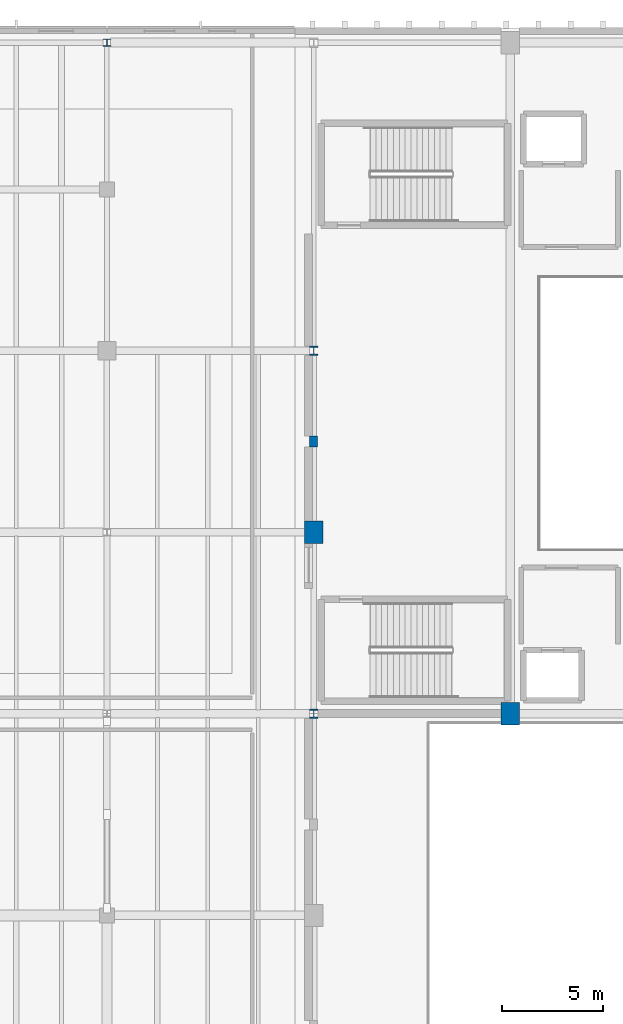
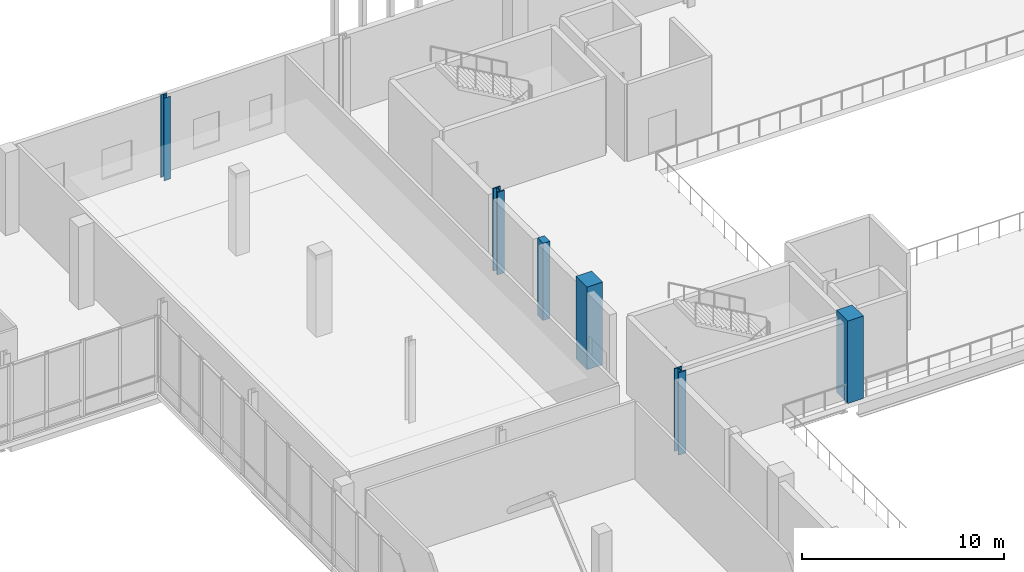
# One storey, part 10 of 81: 6 columns.
"""IFC4 building model written with IfcOpenShell, lengths in metres."""

from ifc_helpers import new_model, si_unit, direction, frame, origin, origin_2d, place, context, subcontext, project, spatial, rectangle, i_section, extrude, material, material_profile, profile_set, type_object, element, save


model = new_model("IFC4")

# Units and contexts
model_context = context("Model", 3, precision=1e-05, world=origin(), true_north=direction((0.0, 1.0)))
body_context = subcontext(model_context, "Body", "Model", "MODEL_VIEW")
ifc_project = project(units=[si_unit("LENGTHUNIT", "METRE"), si_unit("AREAUNIT", "SQUARE_METRE"), si_unit("VOLUMEUNIT", "CUBIC_METRE"), si_unit("PLANEANGLEUNIT", "RADIAN"), si_unit("MASSUNIT", "GRAM", prefix="KILO")], contexts=[model_context])

# Site, building, storey
site_placement = place(None, origin())
site = spatial("IfcSite", under=ifc_project, at=site_placement, CompositionType="ELEMENT")
building_placement = place(site_placement, origin())
building = spatial("IfcBuilding", under=site, at=building_placement, Name="Trimount Lyric Opera House", CompositionType="ELEMENT")
storey_placement = place(building_placement, frame((0.0, 0.0, 5.0)))
storey = spatial("IfcBuildingStorey", under=building, at=storey_placement, Name="L01", CompositionType="ELEMENT", Elevation=5.0)

# Columns
ifc_material_1 = material(Name="Steel ASTM A992 Grade 50", Category="steel")
ifc_material_profile_1 = material_profile(ifc_material_1, i_section(OverallWidth=0.422119140625, OverallDepth=0.465087890625, WebThickness=0.044921875, FlangeThickness=0.072509765625, FilletRadius=0.02001953125, at=origin_2d()), Name="W14X398")
ifc_profile_set_1 = profile_set([ifc_material_profile_1], Name="Steel ASTM A992 Grade 50")
column_type_1 = type_object("IfcColumnType", Name="C-01", PredefinedType="COLUMN", material=ifc_profile_set_1)
for number, where, z_axis, x_axis, name in (
    (1, (64.260009765625, 84.0, 0.0), (0.0, 0.0, 1.0), (1.0, 0.0, 0.0), "L01 column 8/K"),
    (2, (64.260009765625, 102.0, 0.0), (0.0, 0.0, 1.0), (1.0, 0.0, 0.0), "L01 column 8/M"),
):
    element("IfcColumn", number, at=place(storey_placement, frame(where, z_axis=z_axis, x_axis=x_axis)), inside=storey, type_object=column_type_1, Name=name, PredefinedType="COLUMN", context=body_context, shape_type="SweptSolid", body=[
        extrude(i_section(OverallWidth=0.422119140625, OverallDepth=0.465087890625, WebThickness=0.044921875, FlangeThickness=0.072509765625, FilletRadius=0.02001953125, at=origin_2d()), origin(), (0.0, 0.0, 1.0), 5.0),
    ])
ifc_material_2 = material(Name="Steel ASTM A992 Grade 50", Category="steel")
ifc_material_profile_2 = material_profile(ifc_material_2, i_section(OverallWidth=0.367919921875, OverallDepth=0.35595703125, WebThickness=0.01123046875, FlangeThickness=0.01806640625, FilletRadius=0.014892578125, at=origin_2d()), Name="W14X90")
ifc_profile_set_2 = profile_set([ifc_material_profile_2], Name="Steel ASTM A992 Grade 50")
column_type_2 = type_object("IfcColumnType", Name="C-09", PredefinedType="COLUMN", material=ifc_profile_set_2)
column_1_placement = place(storey_placement, frame((54.0, 117.280029296875, 0.0), z_axis=(0.0, 0.0, 1.0), x_axis=(1.0, 0.0, 0.0)))
element("IfcColumn", 3, at=column_1_placement, inside=storey, type_object=column_type_2, Name="L01 column 7/P", PredefinedType="COLUMN", context=body_context, shape_type="SweptSolid", body=[
    extrude(i_section(OverallWidth=0.367919921875, OverallDepth=0.35595703125, WebThickness=0.01123046875, FlangeThickness=0.01806640625, FilletRadius=0.014892578125, at=origin_2d()), origin(), (0.0, 0.0, 1.0), 5.0),
])
ifc_material_3 = material(Name="Concrete C50/60", Category="concrete")
ifc_material_profile_3 = material_profile(ifc_material_3, rectangle(XDim=0.89990234375, YDim=1.10009765625, at=origin_2d()), Name="RC1100X900")
ifc_profile_set_3 = profile_set([ifc_material_profile_3], Name="Concrete C50/60")
column_type_3 = type_object("IfcColumnType", Name="C-11", PredefinedType="COLUMN", material=ifc_profile_set_3)
for number, where, z_axis, x_axis, name in (
    (4, (64.260009765625, 93.0, 0.0), (0.0, 0.0, 1.0), (1.0, 0.0, 0.0), "L01 column 8/L"),
    (5, (74.0, 84.0, 0.0), (0.0, 0.0, 1.0), (1.0, 0.0, 0.0), "L01 column 9/K"),
):
    element("IfcColumn", number, at=place(storey_placement, frame(where, z_axis=z_axis, x_axis=x_axis)), inside=storey, type_object=column_type_3, Name=name, PredefinedType="COLUMN", context=body_context, shape_type="SweptSolid", body=[
        extrude(rectangle(XDim=0.89990234375, YDim=1.10009765625, at=origin_2d()), origin(), (0.0, 0.0, 1.0), 5.0),
    ])
ifc_material_4 = material(Name="Concrete C40/50", Category="concrete")
ifc_material_profile_4 = material_profile(ifc_material_4, rectangle(XDim=0.39990234375, YDim=0.550048828125, at=origin_2d()), Name="RC550X400")
ifc_profile_set_4 = profile_set([ifc_material_profile_4], Name="Concrete C40/50")
column_type_4 = type_object("IfcColumnType", Name="CP-01", PredefinedType="PILASTER", material=ifc_profile_set_4)
column_2_placement = place(storey_placement, frame((64.25, 97.5, 0.0), z_axis=(0.0, 0.0, 1.0), x_axis=(1.0, 0.0, 0.0)))
element("IfcColumn", 6, at=column_2_placement, inside=storey, type_object=column_type_4, Name="L01 acoustic shell pilaster W4", PredefinedType="PILASTER", context=body_context, shape_type="SweptSolid", body=[
    extrude(rectangle(XDim=0.39990234375, YDim=0.550048828125, at=origin_2d()), origin(), (0.0, 0.0, 1.0), 4.675048828125),
])

save(model, "model.ifc")
